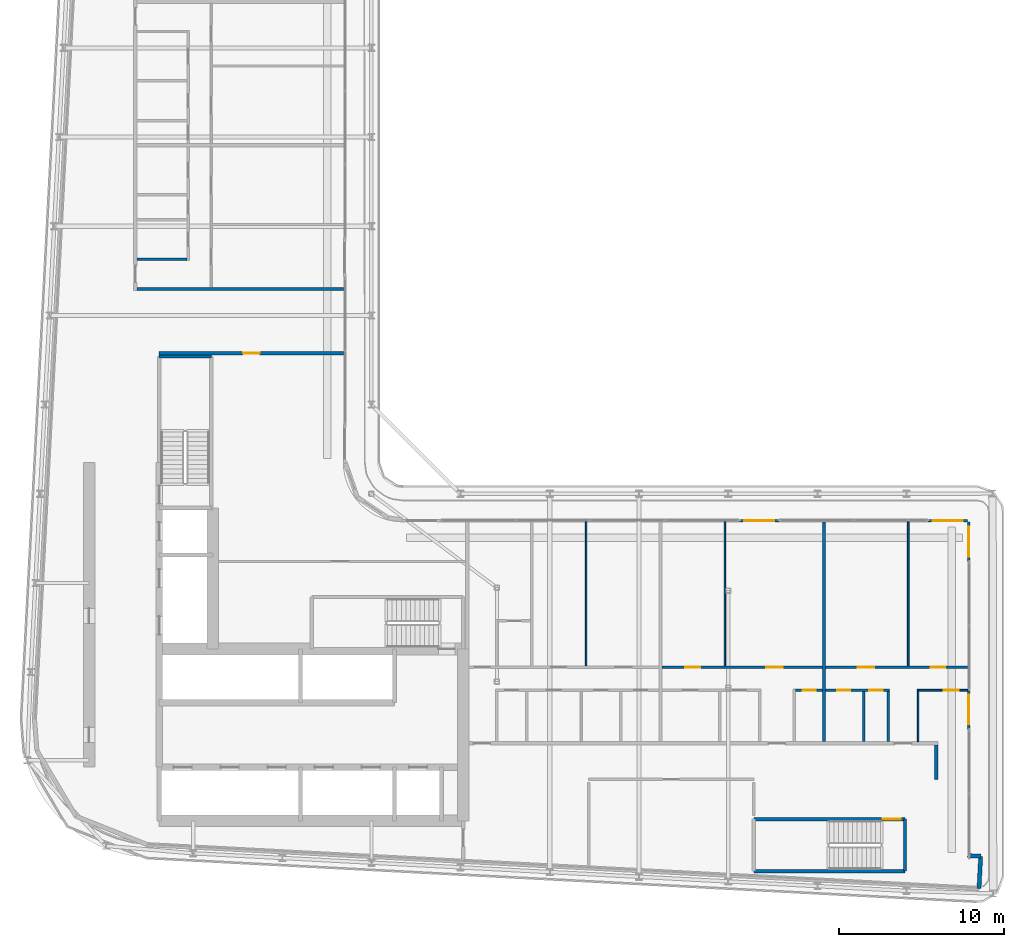
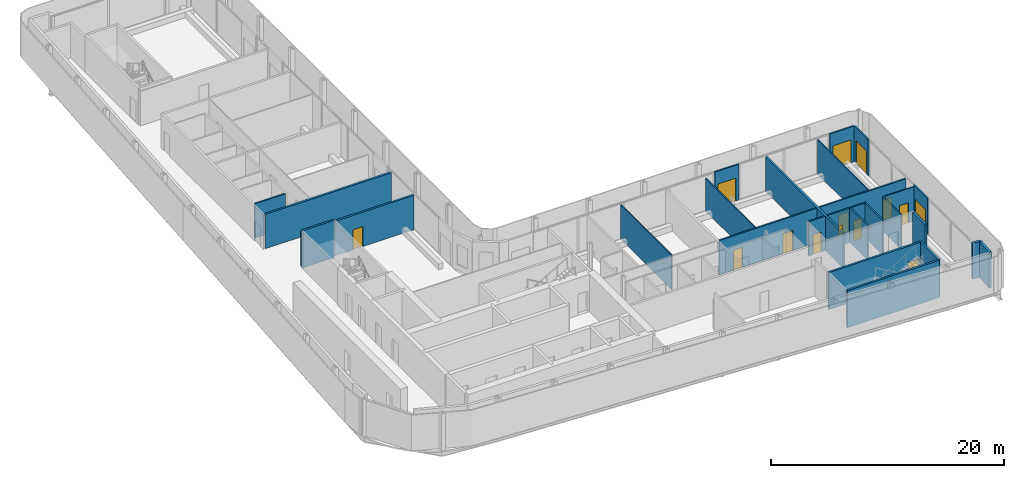
# One storey, part 12 of 21: 26 walls, 14 doors, 14 openings.
"""IFC4 building model written with IfcOpenShell, lengths in metres."""

from ifc_helpers import new_model, si_unit, direction, frame, frame_2d, origin, place, context, subcontext, project, spatial, rectangle, extrude, source, transform, mapped, material, layer, layer_set, type_object, element, fill, save


model = new_model("IFC4")

# Units and contexts
model_context = context("Model", 3, precision=1e-05, world=origin(), true_north=direction((0.0, 1.0)))
body_context = subcontext(model_context, "Body", "Model", "MODEL_VIEW")
ifc_project = project(units=[si_unit("LENGTHUNIT", "METRE"), si_unit("AREAUNIT", "SQUARE_METRE"), si_unit("VOLUMEUNIT", "CUBIC_METRE"), si_unit("PLANEANGLEUNIT", "RADIAN"), si_unit("MASSUNIT", "GRAM", prefix="KILO")], contexts=[model_context])

# Site, building, storey
site_placement = place(None, origin())
site = spatial("IfcSite", under=ifc_project, at=site_placement, CompositionType="ELEMENT")
building_placement = place(site_placement, origin())
building = spatial("IfcBuilding", under=site, at=building_placement, Name="Kheshtan School and Residences Tower", CompositionType="ELEMENT")
storey_placement = place(building_placement, frame((0.0, 0.0, 235.699951171875)))
storey = spatial("IfcBuildingStorey", under=building, at=storey_placement, Name="L55", CompositionType="ELEMENT", Elevation=235.699951171875)

# Wall
ifc_material_1 = material(Name="Gypsum board on steel studs with fire boards", Category="steel")
ifc_layer_1 = layer(ifc_material_1, 0.199951171875)
ifc_layer_set_1 = layer_set([ifc_layer_1], Name="Corridor wall 200")
wall_type_1 = type_object("IfcWallType", Name="Corridor wall 200", PredefinedType="PARTITIONING", material=ifc_layer_set_1)
wall_1_placement = place(storey_placement, frame((33.39990234375, 58.0, 0.0), z_axis=(0.0, 0.0, 1.0), x_axis=(1.0, 0.0, 0.0)))
element("IfcWall", 1, at=wall_1_placement, inside=storey, type_object=wall_type_1, Name="Partition L55-005", PredefinedType="PARTITIONING", context=body_context, shape_type="SweptSolid", body=[
    extrude(rectangle(XDim=12.5, YDim=0.199951171875, at=frame_2d((6.25, 0.0))), origin(), (0.0, 0.0, 1.0), 3.60009765625),
])

# Wall, opening, door
wall_2_placement = place(storey_placement, frame((34.75, 54.10009765625, 0.0), z_axis=(0.0, 0.0, 1.0), x_axis=(1.0, 0.0, 0.0)))
wall_2 = element("IfcWall", 2, at=wall_2_placement, inside=storey, type_object=wall_type_1, Name="Partition L55-014", PredefinedType="PARTITIONING", context=body_context, shape_type="SweptSolid", body=[
    extrude(rectangle(XDim=11.14990234375, YDim=0.199951171875, at=frame_2d((5.574951171875, 0.0))), origin(), (0.0, 0.0, 1.0), 3.60009765625),
])
opening_1_placement = place(wall_2_placement, frame((5.074951171875, 0.0, 0.0)))
opening_1 = element("IfcOpeningElement", 3, at=opening_1_placement, cuts=wall_2, Name="Opening D54-037", PredefinedType="OPENING", context=body_context, shape_type="SweptSolid", body=[
    extrude(rectangle(XDim=1.0, YDim=2.10009765625, at=frame_2d((0.5, 1.050048828125))), frame((0.0, 0.10986328125, 0.0), z_axis=(0.0, -1.0, 0.0), x_axis=(1.0, 0.0, 0.0)), (0.0, 0.0, 1.0), 0.219970703125),
])
ifc_material_2 = material(Name="Steel-framed fire-resisting door leaf", Category="steel")
door_type_1 = type_object("IfcDoorType", Name="Fire door FD60 1000 x 2100", OperationType="SINGLE_SWING_LEFT", PredefinedType="DOOR", material=ifc_material_2)
shared_shape_1 = source(origin(), body_context, "Body", "SweptSolid", [
    extrude(rectangle(XDim=1.0, YDim=2.10009765625, at=frame_2d((0.5, 1.050048828125))), frame((0.0, 0.02490234375, 0.0), z_axis=(0.0, -1.0, 0.0), x_axis=(1.0, 0.0, 0.0)), (0.0, 0.0, 1.0), 0.050048828125),
])
door_1_placement = place(opening_1_placement, origin())
door_1 = element("IfcDoor", 4, at=door_1_placement, inside=storey, type_object=door_type_1, Name="Door D54-037", OperationType="SINGLE_SWING_RIGHT", OverallHeight=2.10009765625, OverallWidth=1.0, PredefinedType="DOOR", context=body_context, shape_type="MappedRepresentation", body=[
    mapped(shared_shape_1, transform((0.0, 0.0, 0.0), x_axis=(1.0, 0.0, 0.0), y_axis=(0.0, 1.0, 0.0), z_axis=(0.0, 0.0, 1.0), scale=1.0)),
])
fill(opening_1, door_1)

# Walls
wall_3_placement = place(storey_placement, frame((81.800048828125, 28.300048828125, 0.0), z_axis=(0.0, 0.0, 1.0), x_axis=(0.0, 1.0, 0.0)))
element("IfcWall", 5, at=wall_3_placement, inside=storey, type_object=wall_type_1, Name="Partition L55-051", PredefinedType="PARTITIONING", context=body_context, shape_type="SweptSolid", body=[
    extrude(rectangle(XDim=2.099853515625, YDim=0.199951171875, at=frame_2d((1.0498046875, 0.0))), origin(), (0.0, 0.0, 1.0), 3.60009765625),
])
ifc_material_3 = material(Name="Concrete C40/50 with ceramic cladding and mineral wool insulation", Category="concrete")
ifc_layer_2 = layer(ifc_material_3, 0.25)
ifc_layer_set_2 = layer_set([ifc_layer_2], Name="External wall 250 ceramic clad")
wall_type_2 = type_object("IfcWallType", Name="External wall 250 ceramic clad", PredefinedType="SOLIDWALL", material=ifc_layer_set_2)
wall_4_placement = place(storey_placement, frame((83.70703125, 23.69189453125, 0.0), z_axis=(0.0, 0.0, 1.0), x_axis=(0.998561284263, -0.053622398031, 0.0)))
element("IfcWall", 6, at=wall_4_placement, inside=storey, type_object=wall_type_2, Name="External wall L55 10", PredefinedType="SOLIDWALL", context=body_context, shape_type="SweptSolid", body=[
    extrude(rectangle(XDim=0.783203125, YDim=0.25, at=frame_2d((0.3916015625, 0.0))), origin(), (0.0, 0.0, 1.0), 3.75),
])
wall_5_placement = place(storey_placement, frame((84.489013671875, 23.64990234375, 0.0), z_axis=(0.0, 0.0, 1.0), x_axis=(-0.052841433274, -0.998602915542, 0.0)))
element("IfcWall", 7, at=wall_5_placement, inside=storey, type_object=wall_type_2, Name="External wall L55 11", PredefinedType="SOLIDWALL", context=body_context, shape_type="SweptSolid", body=[
    extrude(rectangle(XDim=1.94970703125, YDim=0.25, at=frame_2d((0.974853515625, 0.0))), origin(), (0.0, 0.0, 1.0), 3.75),
])

# Wall, opening, door
ifc_material_4 = material(Name="Aluminium frame wall with insulated infill", Category="aluminium")
ifc_layer_3 = layer(ifc_material_4, 0.14990234375)
ifc_layer_set_3 = layer_set([ifc_layer_3], Name="Glazing frame wall 150")
wall_type_3 = type_object("IfcWallType", Name="Glazing frame wall 150", PredefinedType="SOLIDWALL", material=ifc_layer_set_3)
wall_6_placement = place(storey_placement, frame((69.876953125, 43.97509765625, 0.0), z_axis=(0.0, 0.0, 1.0), x_axis=(1.0, 0.0, 0.0)))
wall_6 = element("IfcWall", 8, at=wall_6_placement, inside=storey, type_object=wall_type_3, Name="Balcony door wall L55 8.2", PredefinedType="SOLIDWALL", context=body_context, shape_type="SweptSolid", body=[
    extrude(rectangle(XDim=2.400146484375, YDim=0.14990234375, at=frame_2d((1.2001953125, 0.0))), origin(), (0.0, 0.0, 1.0), 3.75),
])
opening_2_placement = place(wall_6_placement, frame((0.300048828125, 0.0, 0.0)))
opening_2 = element("IfcOpeningElement", 9, at=opening_2_placement, cuts=wall_6, Name="Opening BD", PredefinedType="OPENING", context=body_context, shape_type="SweptSolid", body=[
    extrude(rectangle(XDim=1.800048828125, YDim=2.39990234375, at=frame_2d((0.89990234375, 1.199951171875))), frame((0.0, 0.0849609375, 0.0), z_axis=(0.0, -1.0, 0.0), x_axis=(1.0, 0.0, 0.0)), (0.0, 0.0, 1.0), 0.169921875),
])
ifc_material_5 = material(Name="Clear low-e glass in thermally broken aluminium frame", Category="aluminium")
door_type_2 = type_object("IfcDoorType", Name="Balcony sliding door", OperationType="SLIDING_TO_LEFT", PredefinedType="DOOR", material=ifc_material_5)
shared_shape_2 = source(origin(), body_context, "Body", "SweptSolid", [
    extrude(rectangle(XDim=1.800048828125, YDim=2.39990234375, at=frame_2d((0.89990234375, 1.199951171875))), frame((0.0, 0.02490234375, 0.0), z_axis=(0.0, -1.0, 0.0), x_axis=(1.0, 0.0, 0.0)), (0.0, 0.0, 1.0), 0.050048828125),
])
door_2_placement = place(opening_2_placement, origin())
door_2 = element("IfcDoor", 10, at=door_2_placement, inside=storey, type_object=door_type_2, Name="Balcony door L55 8.2", OperationType="SLIDING_TO_LEFT", OverallHeight=2.39990234375, OverallWidth=1.800048828125, PredefinedType="DOOR", context=body_context, shape_type="MappedRepresentation", body=[
    mapped(shared_shape_2, transform((0.0, 0.0, 0.0), x_axis=(1.0, 0.0, 0.0), y_axis=(0.0, 1.0, 0.0), z_axis=(0.0, 0.0, 1.0), scale=1.0)),
])
fill(opening_2, door_2)

wall_7_placement = place(storey_placement, frame((81.300048828125, 43.97509765625, 0.0), z_axis=(0.0, 0.0, 1.0), x_axis=(1.0, 0.0, 0.0)))
wall_7 = element("IfcWall", 11, at=wall_7_placement, inside=storey, type_object=wall_type_3, Name="Balcony door wall L55 8.3", PredefinedType="SOLIDWALL", context=body_context, shape_type="SweptSolid", body=[
    extrude(rectangle(XDim=2.39990234375, YDim=0.14990234375, at=frame_2d((1.199951171875, 0.0))), origin(), (0.0, 0.0, 1.0), 3.75),
])
opening_3_placement = place(wall_7_placement, frame((0.300048828125, 0.0, 0.0)))
opening_3 = element("IfcOpeningElement", 12, at=opening_3_placement, cuts=wall_7, Name="Opening BD", PredefinedType="OPENING", context=body_context, shape_type="SweptSolid", body=[
    extrude(rectangle(XDim=1.800048828125, YDim=2.39990234375, at=frame_2d((0.89990234375, 1.199951171875))), frame((0.0, 0.0849609375, 0.0), z_axis=(0.0, -1.0, 0.0), x_axis=(1.0, 0.0, 0.0)), (0.0, 0.0, 1.0), 0.169921875),
])
door_3_placement = place(opening_3_placement, origin())
door_3 = element("IfcDoor", 13, at=door_3_placement, inside=storey, type_object=door_type_2, Name="Balcony door L55 8.3", OperationType="SLIDING_TO_LEFT", OverallHeight=2.39990234375, OverallWidth=1.800048828125, PredefinedType="DOOR", context=body_context, shape_type="MappedRepresentation", body=[
    mapped(shared_shape_2, transform((0.0, 0.0, 0.0), x_axis=(1.0, 0.0, 0.0), y_axis=(0.0, 1.0, 0.0), z_axis=(0.0, 0.0, 1.0), scale=1.0)),
])
fill(opening_3, door_3)

wall_8_placement = place(storey_placement, frame((83.77490234375, 43.89990234375, 0.0), z_axis=(0.0, 0.0, 1.0), x_axis=(0.0, -1.0, 0.0)))
wall_8 = element("IfcWall", 14, at=wall_8_placement, inside=storey, type_object=wall_type_3, Name="Balcony door wall L55 9.1", PredefinedType="SOLIDWALL", context=body_context, shape_type="SweptSolid", body=[
    extrude(rectangle(XDim=2.39990234375, YDim=0.14990234375, at=frame_2d((1.199951171875, 0.0))), origin(), (0.0, 0.0, 1.0), 3.75),
])
opening_4_placement = place(wall_8_placement, frame((0.300048828125, 0.0, 0.0)))
opening_4 = element("IfcOpeningElement", 15, at=opening_4_placement, cuts=wall_8, Name="Opening BD", PredefinedType="OPENING", context=body_context, shape_type="SweptSolid", body=[
    extrude(rectangle(XDim=1.800048828125, YDim=2.39990234375, at=frame_2d((0.89990234375, 1.199951171875))), frame((0.0, 0.0849609375, 0.0), z_axis=(0.0, -1.0, 0.0), x_axis=(1.0, 0.0, 0.0)), (0.0, 0.0, 1.0), 0.169921875),
])
door_4_placement = place(opening_4_placement, origin())
door_4 = element("IfcDoor", 16, at=door_4_placement, inside=storey, type_object=door_type_2, Name="Balcony door L55 9.1", OperationType="SLIDING_TO_LEFT", OverallHeight=2.39990234375, OverallWidth=1.800048828125, PredefinedType="DOOR", context=body_context, shape_type="MappedRepresentation", body=[
    mapped(shared_shape_2, transform((0.0, 0.0, 0.0), x_axis=(1.0, 0.0, 0.0), y_axis=(0.0, 1.0, 0.0), z_axis=(0.0, 0.0, 1.0), scale=1.0)),
])
fill(opening_4, door_4)

wall_9_placement = place(storey_placement, frame((83.77490234375, 33.73291015625, 0.0), z_axis=(0.0, 0.0, 1.0), x_axis=(0.0, -1.0, 0.0)))
wall_9 = element("IfcWall", 17, at=wall_9_placement, inside=storey, type_object=wall_type_3, Name="Balcony door wall L55 9.2", PredefinedType="SOLIDWALL", context=body_context, shape_type="SweptSolid", body=[
    extrude(rectangle(XDim=2.39892578125, YDim=0.14990234375, at=frame_2d((1.199462890625, 0.0))), origin(), (0.0, 0.0, 1.0), 3.75),
])
opening_5_placement = place(wall_9_placement, frame((0.300048828125, 0.0, 0.0)))
opening_5 = element("IfcOpeningElement", 18, at=opening_5_placement, cuts=wall_9, Name="Opening BD", PredefinedType="OPENING", context=body_context, shape_type="SweptSolid", body=[
    extrude(rectangle(XDim=1.800048828125, YDim=2.39990234375, at=frame_2d((0.89990234375, 1.199951171875))), frame((0.0, 0.0849609375, 0.0), z_axis=(0.0, -1.0, 0.0), x_axis=(1.0, 0.0, 0.0)), (0.0, 0.0, 1.0), 0.169921875),
])
door_5_placement = place(opening_5_placement, origin())
door_5 = element("IfcDoor", 19, at=door_5_placement, inside=storey, type_object=door_type_2, Name="Balcony door L55 9.2", OperationType="SLIDING_TO_LEFT", OverallHeight=2.39990234375, OverallWidth=1.800048828125, PredefinedType="DOOR", context=body_context, shape_type="MappedRepresentation", body=[
    mapped(shared_shape_2, transform((0.0, 0.0, 0.0), x_axis=(1.0, 0.0, 0.0), y_axis=(0.0, 1.0, 0.0), z_axis=(0.0, 0.0, 1.0), scale=1.0)),
])
fill(opening_5, door_5)

# Walls
ifc_material_6 = material(Name="Gypsum board on steel studs", Category="steel")
ifc_layer_4 = layer(ifc_material_6, 0.10009765625)
ifc_layer_set_4 = layer_set([ifc_layer_4], Name="Gypsum partition 100")
wall_type_4 = type_object("IfcWallType", Name="Gypsum partition 100", PredefinedType="PARTITIONING", material=ifc_layer_set_4)
wall_10_placement = place(storey_placement, frame((60.60009765625, 35.175048828125, 0.0), z_axis=(0.0, 0.0, 1.0), x_axis=(0.0, 1.0, 0.0)))
element("IfcWall", 20, at=wall_10_placement, inside=storey, type_object=wall_type_4, Name="Partition L55-033", PredefinedType="PARTITIONING", context=body_context, shape_type="SweptSolid", body=[
    extrude(rectangle(XDim=8.724853515625, YDim=0.10009765625, at=frame_2d((4.3623046875, 0.0))), origin(), (0.0, 0.0, 1.0), 3.60009765625),
])
wall_11_placement = place(storey_placement, frame((69.0, 35.175048828125, 0.0), z_axis=(0.0, 0.0, 1.0), x_axis=(0.0, 1.0, 0.0)))
element("IfcWall", 21, at=wall_11_placement, inside=storey, type_object=wall_type_4, Name="Partition L55-039", PredefinedType="PARTITIONING", context=body_context, shape_type="SweptSolid", body=[
    extrude(rectangle(XDim=8.724853515625, YDim=0.10009765625, at=frame_2d((4.3623046875, 0.0))), origin(), (0.0, 0.0, 1.0), 3.447021484375),
])
wall_12_placement = place(storey_placement, frame((80.10009765625, 35.175048828125, 0.0), z_axis=(0.0, 0.0, 1.0), x_axis=(0.0, 1.0, 0.0)))
element("IfcWall", 22, at=wall_12_placement, inside=storey, type_object=wall_type_4, Name="Partition L55-048", PredefinedType="PARTITIONING", context=body_context, shape_type="SweptSolid", body=[
    extrude(rectangle(XDim=8.724853515625, YDim=0.10009765625, at=frame_2d((4.3623046875, 0.0))), origin(), (0.0, 0.0, 1.0), 3.60009765625),
])
wall_13_placement = place(storey_placement, frame((80.699951171875, 30.60009765625, 0.0), z_axis=(0.0, 0.0, 1.0), x_axis=(0.0, 1.0, 0.0)))
element("IfcWall", 23, at=wall_13_placement, inside=storey, type_object=wall_type_4, Name="Partition L55-049", PredefinedType="PARTITIONING", context=body_context, shape_type="SweptSolid", body=[
    extrude(rectangle(XDim=3.14990234375, YDim=0.10009765625, at=frame_2d((1.574951171875, 0.0))), origin(), (0.0, 0.0, 1.0), 3.60009765625),
])

# Wall, opening, door
wall_14_placement = place(storey_placement, frame((80.75, 33.699951171875, 0.0), z_axis=(0.0, 0.0, 1.0), x_axis=(1.0, 0.0, 0.0)))
wall_14 = element("IfcWall", 24, at=wall_14_placement, inside=storey, type_object=wall_type_4, Name="Partition L55-050", PredefinedType="PARTITIONING", context=body_context, shape_type="SweptSolid", body=[
    extrude(rectangle(XDim=2.949951171875, YDim=0.10009765625, at=frame_2d((1.47509765625, 0.0))), origin(), (0.0, 0.0, 1.0), 3.60009765625),
])
opening_6_placement = place(wall_14_placement, frame((1.5, 0.0, 0.0)))
opening_6 = element("IfcOpeningElement", 25, at=opening_6_placement, cuts=wall_14, Name="Opening D54-019", PredefinedType="OPENING", context=body_context, shape_type="SweptSolid", body=[
    extrude(rectangle(XDim=0.89990234375, YDim=2.10009765625, at=frame_2d((0.449951171875, 1.050048828125))), frame((0.0, 0.06005859375, 0.0), z_axis=(0.0, -1.0, 0.0), x_axis=(1.0, 0.0, 0.0)), (0.0, 0.0, 1.0), 0.1201171875),
])
ifc_material_7 = material(Name="Veneered timber door leaf", Category="wood")
door_type_3 = type_object("IfcDoorType", Name="Door 900 x 2100", OperationType="SINGLE_SWING_LEFT", PredefinedType="DOOR", material=ifc_material_7)
shared_shape_3 = source(origin(), body_context, "Body", "SweptSolid", [
    extrude(rectangle(XDim=0.89990234375, YDim=2.10009765625, at=frame_2d((0.449951171875, 1.050048828125))), frame((0.0, 0.02490234375, 0.0), z_axis=(0.0, -1.0, 0.0), x_axis=(1.0, 0.0, 0.0)), (0.0, 0.0, 1.0), 0.050048828125),
])
door_6_placement = place(opening_6_placement, origin())
door_6 = element("IfcDoor", 26, at=door_6_placement, inside=storey, type_object=door_type_3, Name="Door D54-019", OperationType="SINGLE_SWING_LEFT", OverallHeight=2.10009765625, OverallWidth=0.89990234375, PredefinedType="DOOR", context=body_context, shape_type="MappedRepresentation", body=[
    mapped(shared_shape_3, transform((0.0, 0.0, 0.0), x_axis=(1.0, 0.0, 0.0), y_axis=(0.0, 1.0, 0.0), z_axis=(0.0, 0.0, 1.0), scale=1.0)),
])
fill(opening_6, door_6)

# Walls
ifc_material_8 = material(Name="Concrete C40/50", Category="concrete")
ifc_layer_5 = layer(ifc_material_8, 0.199951171875)
ifc_layer_set_5 = layer_set([ifc_layer_5], Name="Stair enclosure wall 200 Concrete C40/50")
wall_type_5 = type_object("IfcWallType", Name="Stair enclosure wall 200 Concrete C40/50", PredefinedType="SHEAR", material=ifc_layer_set_5)
wall_15_placement = place(storey_placement, frame((34.75, 53.909912109375, 0.0), z_axis=(0.0, 0.0, 1.0), x_axis=(1.0, 0.0, 0.0)))
element("IfcWall", 27, at=wall_15_placement, inside=storey, type_object=wall_type_5, Name="Stair enclosure wall ST2", PredefinedType="SHEAR", context=body_context, shape_type="SweptSolid", body=[
    extrude(rectangle(XDim=3.14990234375, YDim=0.199951171875, at=frame_2d((1.574951171875, 0.0))), origin(), (0.0, 0.0, 1.0), 3.900146484375),
])
wall_16_placement = place(storey_placement, frame((70.75, 22.75, 0.0), z_axis=(0.0, 0.0, 1.0), x_axis=(1.0, 0.0, 0.0)))
element("IfcWall", 28, at=wall_16_placement, inside=storey, type_object=wall_type_5, Name="Stair enclosure wall ST5", PredefinedType="SHEAR", context=body_context, shape_type="SweptSolid", body=[
    extrude(rectangle(XDim=9.159912109375, YDim=0.199951171875, at=frame_2d((4.580078125, 0.0))), origin(), (0.0, 0.0, 1.0), 3.900146484375),
])

# Wall, opening, door
wall_17_placement = place(storey_placement, frame((70.75, 25.89990234375, 0.0), z_axis=(0.0, 0.0, 1.0), x_axis=(1.0, 0.0, 0.0)))
wall_17 = element("IfcWall", 29, at=wall_17_placement, inside=storey, type_object=wall_type_5, Name="Stair enclosure wall ST5", PredefinedType="SHEAR", context=body_context, shape_type="SweptSolid", body=[
    extrude(rectangle(XDim=9.159912109375, YDim=0.199951171875, at=frame_2d((4.580078125, 0.0))), origin(), (0.0, 0.0, 1.0), 3.900146484375),
])
opening_7_placement = place(wall_17_placement, frame((7.81005859375, 0.0, 0.0)))
opening_7 = element("IfcOpeningElement", 30, at=opening_7_placement, cuts=wall_17, Name="Opening ST5D", PredefinedType="OPENING", context=body_context, shape_type="SweptSolid", body=[
    extrude(rectangle(XDim=1.10009765625, YDim=2.199951171875, at=frame_2d((0.550048828125, 1.10009765625))), frame((0.0, 0.10986328125, 0.0), z_axis=(0.0, -1.0, 0.0), x_axis=(1.0, 0.0, 0.0)), (0.0, 0.0, 1.0), 0.219970703125),
])
ifc_material_9 = material(Name="Steel door leaf, galvanised", Category="steel")
door_type_4 = type_object("IfcDoorType", Name="Stair door 1100 steel 90 min", OperationType="SINGLE_SWING_LEFT", PredefinedType="DOOR", material=ifc_material_9)
shared_shape_4 = source(origin(), body_context, "Body", "SweptSolid", [
    extrude(rectangle(XDim=1.10009765625, YDim=2.199951171875, at=frame_2d((0.550048828125, 1.10009765625))), frame((0.0, 0.02490234375, 0.0), z_axis=(0.0, -1.0, 0.0), x_axis=(1.0, 0.0, 0.0)), (0.0, 0.0, 1.0), 0.050048828125),
])
door_7_placement = place(opening_7_placement, origin())
door_7 = element("IfcDoor", 31, at=door_7_placement, inside=storey, type_object=door_type_4, Name="Stair ST5 door", OperationType="SINGLE_SWING_LEFT", OverallHeight=2.199951171875, OverallWidth=1.10009765625, PredefinedType="DOOR", context=body_context, shape_type="MappedRepresentation", body=[
    mapped(shared_shape_4, transform((0.0, 0.0, 0.0), x_axis=(1.0, 0.0, 0.0), y_axis=(0.0, 1.0, 0.0), z_axis=(0.0, 0.0, 1.0), scale=1.0)),
])
fill(opening_7, door_7)

# Walls
wall_18_placement = place(storey_placement, frame((79.909912109375, 22.75, 0.0), z_axis=(0.0, 0.0, 1.0), x_axis=(0.0, 1.0, 0.0)))
element("IfcWall", 32, at=wall_18_placement, inside=storey, type_object=wall_type_5, Name="Stair enclosure wall ST5", PredefinedType="SHEAR", context=body_context, shape_type="SweptSolid", body=[
    extrude(rectangle(XDim=3.14990234375, YDim=0.199951171875, at=frame_2d((1.574951171875, 0.0))), origin(), (0.0, 0.0, 1.0), 3.900146484375),
])
ifc_material_10 = material(Name="Twin gypsum board on steel studs with mineral wool", Category="steel")
ifc_layer_6 = layer(ifc_material_10, 0.199951171875)
ifc_layer_set_6 = layer_set([ifc_layer_6], Name="Unit demising wall 200")
wall_type_6 = type_object("IfcWallType", Name="Unit demising wall 200", PredefinedType="PARTITIONING", material=ifc_layer_set_6)
wall_19_placement = place(storey_placement, frame((75.0, 30.60009765625, 0.0), z_axis=(0.0, 0.0, 1.0), x_axis=(0.0, 1.0, 0.0)))
element("IfcWall", 33, at=wall_19_placement, inside=storey, type_object=wall_type_6, Name="Partition L55-043", PredefinedType="PARTITIONING", context=body_context, shape_type="SweptSolid", body=[
    extrude(rectangle(XDim=13.2998046875, YDim=0.199951171875, at=frame_2d((6.64990234375, 0.0))), origin(), (0.0, 0.0, 1.0), 3.60009765625),
])
ifc_material_11 = material(Name="Moisture-resistant gypsum board on steel studs", Category="steel")
ifc_layer_7 = layer(ifc_material_11, 0.14990234375)
ifc_layer_set_7 = layer_set([ifc_layer_7], Name="Wet-room partition 150")
wall_type_7 = type_object("IfcWallType", Name="Wet-room partition 150", PredefinedType="PARTITIONING", material=ifc_layer_set_7)
wall_20_placement = place(storey_placement, frame((33.39990234375, 59.800048828125, 0.0), z_axis=(0.0, 0.0, 1.0), x_axis=(1.0, 0.0, 0.0)))
element("IfcWall", 34, at=wall_20_placement, inside=storey, type_object=wall_type_7, Name="Partition L55-006", PredefinedType="PARTITIONING", context=body_context, shape_type="SweptSolid", body=[
    extrude(rectangle(XDim=3.025146484375, YDim=0.14990234375, at=frame_2d((1.5126953125, 0.0))), origin(), (0.0, 0.0, 1.0), 3.60009765625),
])

# Wall, openings, doors
wall_21_placement = place(storey_placement, frame((65.199951171875, 35.10009765625, 0.0), z_axis=(0.0, 0.0, 1.0), x_axis=(1.0, 0.0, 0.0)))
wall_21 = element("IfcWall", 35, at=wall_21_placement, inside=storey, type_object=wall_type_7, Name="Partition L55-037", PredefinedType="PARTITIONING", context=body_context, shape_type="SweptSolid", body=[
    extrude(rectangle(XDim=9.699951171875, YDim=0.14990234375, at=frame_2d((4.85009765625, 0.0))), origin(), (0.0, 0.0, 1.0), 3.60009765625),
])
opening_8_placement = place(wall_21_placement, frame((1.39990234375, 0.0, 0.0)))
opening_8 = element("IfcOpeningElement", 36, at=opening_8_placement, cuts=wall_21, Name="Opening D54-011", PredefinedType="OPENING", context=body_context, shape_type="SweptSolid", body=[
    extrude(rectangle(XDim=0.89990234375, YDim=2.10009765625, at=frame_2d((0.449951171875, 1.050048828125))), frame((0.0, 0.0849609375, 0.0), z_axis=(0.0, -1.0, 0.0), x_axis=(1.0, 0.0, 0.0)), (0.0, 0.0, 1.0), 0.169921875),
])
opening_9_placement = place(wall_21_placement, frame((6.300048828125, 0.0, 0.0)))
opening_9 = element("IfcOpeningElement", 37, at=opening_9_placement, cuts=wall_21, Name="Opening D54-014", PredefinedType="OPENING", context=body_context, shape_type="SweptSolid", body=[
    extrude(rectangle(XDim=1.0, YDim=2.10009765625, at=frame_2d((0.5, 1.050048828125))), frame((0.0, 0.0849609375, 0.0), z_axis=(0.0, -1.0, 0.0), x_axis=(1.0, 0.0, 0.0)), (0.0, 0.0, 1.0), 0.169921875),
])
door_type_5 = type_object("IfcDoorType", Name="Door 1000 x 2100", OperationType="SINGLE_SWING_LEFT", PredefinedType="DOOR", material=ifc_material_7)
shared_shape_5 = source(origin(), body_context, "Body", "SweptSolid", [
    extrude(rectangle(XDim=1.0, YDim=2.10009765625, at=frame_2d((0.5, 1.050048828125))), frame((0.0, 0.02490234375, 0.0), z_axis=(0.0, -1.0, 0.0), x_axis=(1.0, 0.0, 0.0)), (0.0, 0.0, 1.0), 0.050048828125),
])
door_8_placement = place(opening_9_placement, origin())
door_8 = element("IfcDoor", 38, at=door_8_placement, inside=storey, type_object=door_type_5, Name="Door D54-014", OperationType="SINGLE_SWING_RIGHT", OverallHeight=2.10009765625, OverallWidth=1.0, PredefinedType="DOOR", context=body_context, shape_type="MappedRepresentation", body=[
    mapped(shared_shape_5, transform((0.0, 0.0, 0.0), x_axis=(1.0, 0.0, 0.0), y_axis=(0.0, 1.0, 0.0), z_axis=(0.0, 0.0, 1.0), scale=1.0)),
])
fill(opening_9, door_8)
door_9_placement = place(opening_8_placement, origin())
door_9 = element("IfcDoor", 39, at=door_9_placement, inside=storey, type_object=door_type_3, Name="Door D54-011", OperationType="SINGLE_SWING_RIGHT", OverallHeight=2.10009765625, OverallWidth=0.89990234375, PredefinedType="DOOR", context=body_context, shape_type="MappedRepresentation", body=[
    mapped(shared_shape_3, transform((0.0, 0.0, 0.0), x_axis=(1.0, 0.0, 0.0), y_axis=(0.0, 1.0, 0.0), z_axis=(0.0, 0.0, 1.0), scale=1.0)),
])
fill(opening_8, door_9)

# Wall, opening, door
wall_22_placement = place(storey_placement, frame((73.27490234375, 33.699951171875, 0.0), z_axis=(0.0, 0.0, 1.0), x_axis=(1.0, 0.0, 0.0)))
wall_22 = element("IfcWall", 40, at=wall_22_placement, inside=storey, type_object=wall_type_7, Name="Partition L55-042", PredefinedType="PARTITIONING", context=body_context, shape_type="SweptSolid", body=[
    extrude(rectangle(XDim=1.625, YDim=0.14990234375, at=frame_2d((0.8125, 0.0))), origin(), (0.0, 0.0, 1.0), 3.60009765625),
])
opening_10_placement = place(wall_22_placement, frame((0.425048828125, 0.0, 0.0)))
opening_10 = element("IfcOpeningElement", 41, at=opening_10_placement, cuts=wall_22, Name="Opening D54-015", PredefinedType="OPENING", context=body_context, shape_type="SweptSolid", body=[
    extrude(rectangle(XDim=0.800048828125, YDim=2.10009765625, at=frame_2d((0.39990234375, 1.050048828125))), frame((0.0, 0.0849609375, 0.0), z_axis=(0.0, -1.0, 0.0), x_axis=(1.0, 0.0, 0.0)), (0.0, 0.0, 1.0), 0.169921875),
])
door_type_6 = type_object("IfcDoorType", Name="Door 800 x 2100", OperationType="SINGLE_SWING_LEFT", PredefinedType="DOOR", material=ifc_material_7)
shared_shape_6 = source(origin(), body_context, "Body", "SweptSolid", [
    extrude(rectangle(XDim=0.800048828125, YDim=2.10009765625, at=frame_2d((0.39990234375, 1.050048828125))), frame((0.0, 0.02490234375, 0.0), z_axis=(0.0, -1.0, 0.0), x_axis=(1.0, 0.0, 0.0)), (0.0, 0.0, 1.0), 0.050048828125),
])
door_10_placement = place(opening_10_placement, origin())
door_10 = element("IfcDoor", 42, at=door_10_placement, inside=storey, type_object=door_type_6, Name="Door D54-015", OperationType="SINGLE_SWING_LEFT", OverallHeight=2.10009765625, OverallWidth=0.800048828125, PredefinedType="DOOR", context=body_context, shape_type="MappedRepresentation", body=[
    mapped(shared_shape_6, transform((0.0, 0.0, 0.0), x_axis=(1.0, 0.0, 0.0), y_axis=(0.0, 1.0, 0.0), z_axis=(0.0, 0.0, 1.0), scale=1.0)),
])
fill(opening_10, door_10)

# Wall, openings, doors
wall_23_placement = place(storey_placement, frame((75.10009765625, 33.699951171875, 0.0), z_axis=(0.0, 0.0, 1.0), x_axis=(1.0, 0.0, 0.0)))
wall_23 = element("IfcWall", 43, at=wall_23_placement, inside=storey, type_object=wall_type_7, Name="Partition L55-044", PredefinedType="PARTITIONING", context=body_context, shape_type="SweptSolid", body=[
    extrude(rectangle(XDim=3.875, YDim=0.14990234375, at=frame_2d((1.9375, 0.0))), origin(), (0.0, 0.0, 1.0), 3.60009765625),
])
opening_11_placement = place(wall_23_placement, frame((0.699951171875, 0.0, 0.0)))
opening_11 = element("IfcOpeningElement", 44, at=opening_11_placement, cuts=wall_23, Name="Opening D54-016", PredefinedType="OPENING", context=body_context, shape_type="SweptSolid", body=[
    extrude(rectangle(XDim=0.800048828125, YDim=2.10009765625, at=frame_2d((0.39990234375, 1.050048828125))), frame((0.0, 0.0849609375, 0.0), z_axis=(0.0, -1.0, 0.0), x_axis=(1.0, 0.0, 0.0)), (0.0, 0.0, 1.0), 0.169921875),
])
opening_12_placement = place(wall_23_placement, frame((2.64990234375, 0.0, 0.0)))
opening_12 = element("IfcOpeningElement", 45, at=opening_12_placement, cuts=wall_23, Name="Opening D54-021", PredefinedType="OPENING", context=body_context, shape_type="SweptSolid", body=[
    extrude(rectangle(XDim=0.800048828125, YDim=2.10009765625, at=frame_2d((0.39990234375, 1.050048828125))), frame((0.0, 0.0849609375, 0.0), z_axis=(0.0, -1.0, 0.0), x_axis=(1.0, 0.0, 0.0)), (0.0, 0.0, 1.0), 0.169921875),
])
door_11_placement = place(opening_11_placement, origin())
door_11 = element("IfcDoor", 46, at=door_11_placement, inside=storey, type_object=door_type_6, Name="Door D54-016", OperationType="SINGLE_SWING_RIGHT", OverallHeight=2.10009765625, OverallWidth=0.800048828125, PredefinedType="DOOR", context=body_context, shape_type="MappedRepresentation", body=[
    mapped(shared_shape_6, transform((0.0, 0.0, 0.0), x_axis=(1.0, 0.0, 0.0), y_axis=(0.0, 1.0, 0.0), z_axis=(0.0, 0.0, 1.0), scale=1.0)),
])
fill(opening_11, door_11)
door_12_placement = place(opening_12_placement, origin())
door_12 = element("IfcDoor", 47, at=door_12_placement, inside=storey, type_object=door_type_6, Name="Door D54-021", OperationType="SINGLE_SWING_LEFT", OverallHeight=2.10009765625, OverallWidth=0.800048828125, PredefinedType="DOOR", context=body_context, shape_type="MappedRepresentation", body=[
    mapped(shared_shape_6, transform((0.0, 0.0, 0.0), x_axis=(1.0, 0.0, 0.0), y_axis=(0.0, 1.0, 0.0), z_axis=(0.0, 0.0, 1.0), scale=1.0)),
])
fill(opening_12, door_12)

wall_24_placement = place(storey_placement, frame((75.10009765625, 35.10009765625, 0.0), z_axis=(0.0, 0.0, 1.0), x_axis=(1.0, 0.0, 0.0)))
wall_24 = element("IfcWall", 48, at=wall_24_placement, inside=storey, type_object=wall_type_7, Name="Partition L55-045", PredefinedType="PARTITIONING", context=body_context, shape_type="SweptSolid", body=[
    extrude(rectangle(XDim=8.599853515625, YDim=0.14990234375, at=frame_2d((4.2998046875, 0.0))), origin(), (0.0, 0.0, 1.0), 3.60009765625),
])
opening_13_placement = place(wall_24_placement, frame((6.35009765625, 0.0, 0.0)))
opening_13 = element("IfcOpeningElement", 49, at=opening_13_placement, cuts=wall_24, Name="Opening D54-017", PredefinedType="OPENING", context=body_context, shape_type="SweptSolid", body=[
    extrude(rectangle(XDim=0.89990234375, YDim=2.10009765625, at=frame_2d((0.449951171875, 1.050048828125))), frame((0.0, 0.0849609375, 0.0), z_axis=(0.0, -1.0, 0.0), x_axis=(1.0, 0.0, 0.0)), (0.0, 0.0, 1.0), 0.169921875),
])
opening_14_placement = place(wall_24_placement, frame((1.949951171875, 0.0, 0.0)))
opening_14 = element("IfcOpeningElement", 50, at=opening_14_placement, cuts=wall_24, Name="Opening D54-020", PredefinedType="OPENING", context=body_context, shape_type="SweptSolid", body=[
    extrude(rectangle(XDim=1.0, YDim=2.10009765625, at=frame_2d((0.5, 1.050048828125))), frame((0.0, 0.0849609375, 0.0), z_axis=(0.0, -1.0, 0.0), x_axis=(1.0, 0.0, 0.0)), (0.0, 0.0, 1.0), 0.169921875),
])
door_13_placement = place(opening_14_placement, origin())
door_13 = element("IfcDoor", 51, at=door_13_placement, inside=storey, type_object=door_type_5, Name="Door D54-020", OperationType="SINGLE_SWING_LEFT", OverallHeight=2.10009765625, OverallWidth=1.0, PredefinedType="DOOR", context=body_context, shape_type="MappedRepresentation", body=[
    mapped(shared_shape_5, transform((0.0, 0.0, 0.0), x_axis=(1.0, 0.0, 0.0), y_axis=(0.0, 1.0, 0.0), z_axis=(0.0, 0.0, 1.0), scale=1.0)),
])
fill(opening_14, door_13)
door_14_placement = place(opening_13_placement, origin())
door_14 = element("IfcDoor", 52, at=door_14_placement, inside=storey, type_object=door_type_3, Name="Door D54-017", OperationType="SINGLE_SWING_LEFT", OverallHeight=2.10009765625, OverallWidth=0.89990234375, PredefinedType="DOOR", context=body_context, shape_type="MappedRepresentation", body=[
    mapped(shared_shape_3, transform((0.0, 0.0, 0.0), x_axis=(1.0, 0.0, 0.0), y_axis=(0.0, 1.0, 0.0), z_axis=(0.0, 0.0, 1.0), scale=1.0)),
])
fill(opening_13, door_14)

# Walls
for number, where, z_axis, x_axis, name in (
    (53, (77.39990234375, 30.60009765625, 0.0), (0.0, 0.0, 1.0), (0.0, 1.0, 0.0), "Partition L55-046"),
    (54, (78.89990234375, 30.60009765625, 0.0), (0.0, 0.0, 1.0), (0.0, 1.0, 0.0), "Partition L55-047"),
):
    element("IfcWall", number, at=place(storey_placement, frame(where, z_axis=z_axis, x_axis=x_axis)), inside=storey, type_object=wall_type_7, Name=name, PredefinedType="PARTITIONING", context=body_context, shape_type="SweptSolid", body=[
        extrude(rectangle(XDim=3.02490234375, YDim=0.14990234375, at=frame_2d((1.512451171875, 0.0))), origin(), (0.0, 0.0, 1.0), 3.60009765625),
    ])

save(model, "model.ifc")
